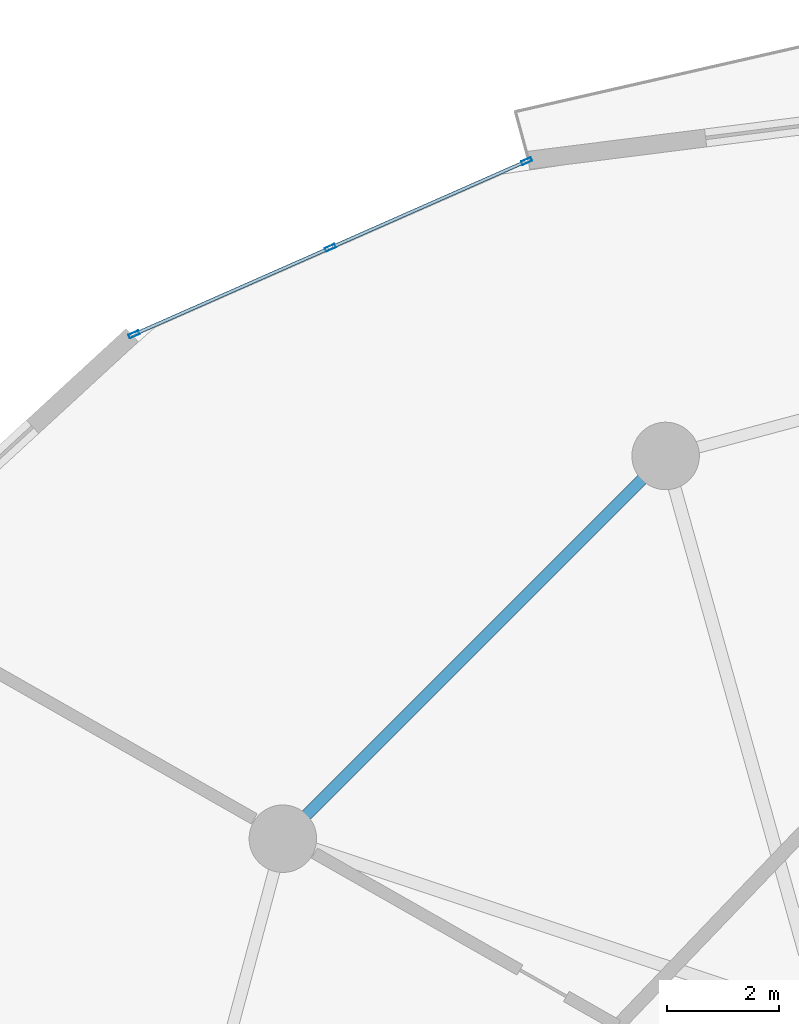
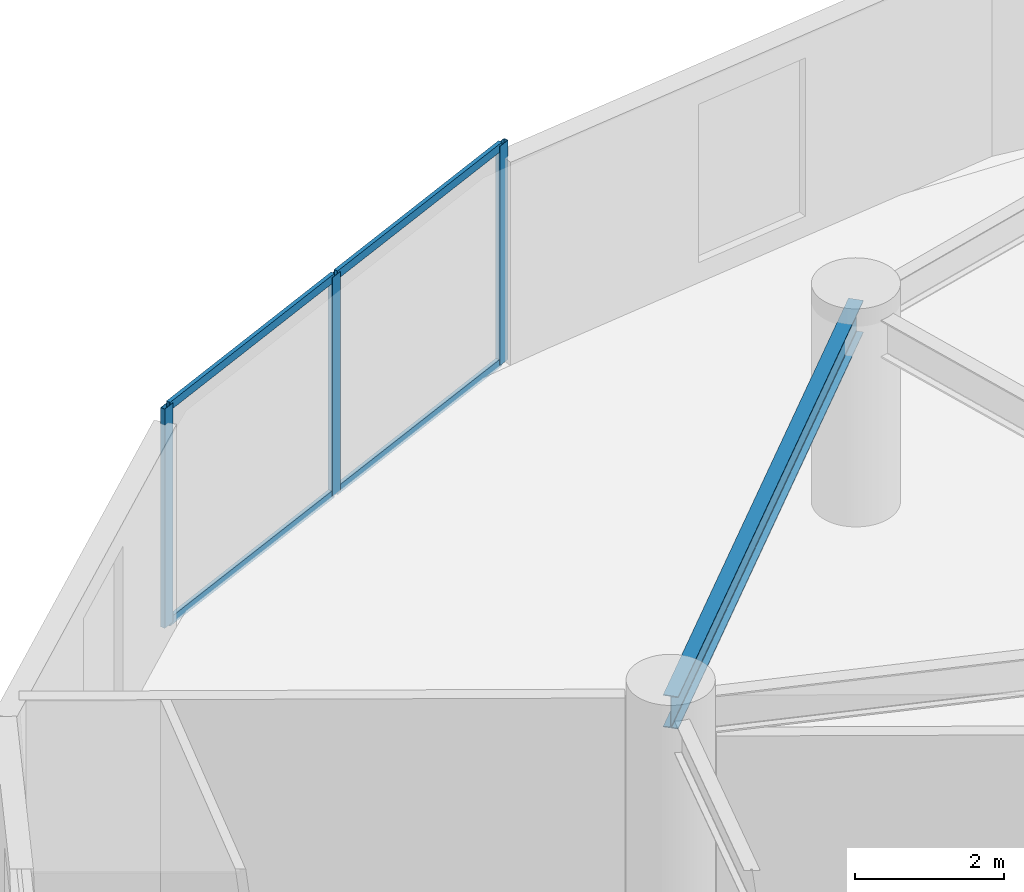
# One storey, part 15 of 25: 7 members, 1 beam, 1 element without a shape of its own.
"""IFC4 building model written with IfcOpenShell, lengths in metres."""

from ifc_helpers import new_model, si_unit, direction, frame, origin, origin_2d, place, context, subcontext, project, spatial, hollow_rectangle, i_section, extrude, source, transform, mapped, material, layer, layer_set, material_profile, profile_set, type_object, element, aggregate, save


model = new_model("IFC4")

# Units and contexts
model_context = context("Model", 3, precision=1e-05, world=origin(), true_north=direction((0.0, 1.0)))
body_context = subcontext(model_context, "Body", "Model", "MODEL_VIEW")
ifc_project = project(units=[si_unit("LENGTHUNIT", "METRE"), si_unit("AREAUNIT", "SQUARE_METRE"), si_unit("VOLUMEUNIT", "CUBIC_METRE"), si_unit("PLANEANGLEUNIT", "RADIAN"), si_unit("MASSUNIT", "GRAM", prefix="KILO")], contexts=[model_context])

# Site, building, storey
site_placement = place(None, origin())
site = spatial("IfcSite", under=ifc_project, at=site_placement, CompositionType="ELEMENT")
building_placement = place(site_placement, origin())
building = spatial("IfcBuilding", under=site, at=building_placement, Name="Solvirekh Grand Hotel", CompositionType="ELEMENT")
storey_placement = place(building_placement, frame((0.0, 0.0, 60.800048828125)))
storey = spatial("IfcBuildingStorey", under=building, at=storey_placement, Name="L14", CompositionType="ELEMENT", Elevation=60.800048828125)

# Beam
ifc_material_1 = material(Name="Steel S355", Category="steel")
ifc_material_profile_1 = material_profile(ifc_material_1, i_section(OverallWidth=0.208984375, OverallDepth=0.532958984375, WebThickness=0.010009765625, FlangeThickness=0.014892578125, FilletRadius=0.013916015625, at=origin_2d()), Name="W530X92")
ifc_profile_set_1 = profile_set([ifc_material_profile_1], Name="Steel S355")
beam_type = type_object("IfcBeamType", Name="Spandrel_Ring_W530", PredefinedType="SPANDREL", material=ifc_profile_set_1)
beam_placement = place(storey_placement, frame((-9.300048828125, 16.10791015625, 3.072998046875), z_axis=(-0.707106781187, -0.707106781187, 0.0), x_axis=(0.707106781187, -0.707106781187, 0.0)))
element("IfcBeam", 1, at=beam_placement, inside=storey, type_object=beam_type, Name="L14 perimeter spandrel beam 5", PredefinedType="SPANDREL", context=body_context, shape_type="SweptSolid", body=[
    extrude(i_section(OverallWidth=0.208984375, OverallDepth=0.532958984375, WebThickness=0.010009765625, FlangeThickness=0.014892578125, FilletRadius=0.013916015625, at=origin_2d()), origin(), (0.0, 0.0, 1.0), 9.627685546875),
])

# Curtain wall, members
ifc_material_2 = material(Name="Anodized Bronze Aluminium 6063-T6", Category="aluminium")
ifc_layer = layer(ifc_material_2, 0.18994140625)
ifc_layer_set = layer_set([ifc_layer], Name="Anodized Bronze Aluminium 6063-T6")
curtain_wall_type = type_object("IfcCurtainWallType", Name="CW_Sys2_LowZoneFlushBronzeCW", PredefinedType="NOTDEFINED", material=ifc_layer_set)
curtain_wall_placement = place(storey_placement, origin())
curtain_wall = element("IfcCurtainWall", 2, at=curtain_wall_placement, inside=storey, type_object=curtain_wall_type, Name="L14 unitised bronze-glass curtain wall CW-L14-C08", PredefinedType="NOTDEFINED")
ifc_material_profile_2 = material_profile(ifc_material_2, hollow_rectangle(XDim=0.06005859375, YDim=0.135009765625, WallThickness=0.00390625, at=origin_2d()), Name="ALU RHS 135X60X4")
ifc_profile_set_2 = profile_set([ifc_material_profile_2], Name="Anodized Bronze Aluminium 6063-T6")
member_type_1 = type_object("IfcMemberType", Name="CWTransom_Sys2", PredefinedType="USERDEFINED", material=ifc_profile_set_2)
shared_shape_1 = source(origin(), body_context, "Body", "SweptSolid", [
    extrude(hollow_rectangle(XDim=0.06005859375, YDim=0.135009765625, WallThickness=0.00390625, at=origin_2d()), origin(), (0.0, 0.0, 1.0), 3.74755859375),
])
member_1_placement = place(storey_placement, frame((-11.802978515625, 21.337646484375, 0.030029296875), z_axis=(-0.914880293603, -0.403725213947, 0.0), x_axis=(0.403725213947, -0.914880293603, 0.0)))
member_1 = element("IfcMember", 3, at=member_1_placement, type_object=member_type_1, Name="U02 transom 1.1", ObjectType="TRANSOM", PredefinedType="USERDEFINED", context=body_context, shape_type="MappedRepresentation", body=[
    mapped(shared_shape_1, transform((0.0, 0.0, 0.0), x_axis=(1.0, 0.0, 0.0), y_axis=(0.0, 1.0, 0.0), z_axis=(0.0, 0.0, 1.0), scale=1.0)),
])
member_2_placement = place(storey_placement, frame((-11.802978515625, 21.337646484375, 3.570068359375), z_axis=(-0.914880293603, -0.403725213947, 0.0), x_axis=(0.403725213947, -0.914880293603, 0.0)))
member_2 = element("IfcMember", 4, at=member_2_placement, type_object=member_type_1, Name="U02 transom 1.2", ObjectType="TRANSOM", PredefinedType="USERDEFINED", context=body_context, shape_type="MappedRepresentation", body=[
    mapped(shared_shape_1, transform((0.0, 0.0, 0.0), x_axis=(1.0, 0.0, 0.0), y_axis=(0.0, 1.0, 0.0), z_axis=(0.0, 0.0, 1.0), scale=1.0)),
])
member_3_placement = place(storey_placement, frame((-15.29541015625, 19.79638671875, 0.030029296875), z_axis=(-0.914856229348, -0.403779741472, 0.0), x_axis=(0.403779741472, -0.914856229348, 0.0)))
member_3 = element("IfcMember", 5, at=member_3_placement, type_object=member_type_1, Name="U02 transom 2.1", ObjectType="TRANSOM", PredefinedType="USERDEFINED", context=body_context, shape_type="MappedRepresentation", body=[
    mapped(shared_shape_1, transform((0.0, 0.0, 0.0), x_axis=(1.0, 0.0, 0.0), y_axis=(0.0, 1.0, 0.0), z_axis=(0.0, 0.0, 1.0), scale=1.0)),
])
member_4_placement = place(storey_placement, frame((-15.29541015625, 19.79638671875, 3.570068359375), z_axis=(-0.914856229348, -0.403779741472, 0.0), x_axis=(0.403779741472, -0.914856229348, 0.0)))
member_4 = element("IfcMember", 6, at=member_4_placement, type_object=member_type_1, Name="U02 transom 2.2", ObjectType="TRANSOM", PredefinedType="USERDEFINED", context=body_context, shape_type="MappedRepresentation", body=[
    mapped(shared_shape_1, transform((0.0, 0.0, 0.0), x_axis=(1.0, 0.0, 0.0), y_axis=(0.0, 1.0, 0.0), z_axis=(0.0, 0.0, 1.0), scale=1.0)),
])
ifc_material_profile_3 = material_profile(ifc_material_2, hollow_rectangle(XDim=0.070068359375, YDim=0.18994140625, WallThickness=0.0048828125, at=origin_2d()), Name="ALU RHS 190X70X5")
ifc_profile_set_3 = profile_set([ifc_material_profile_3], Name="Anodized Bronze Aluminium 6063-T6")
member_type_2 = type_object("IfcMemberType", Name="CWMullion_Sys2", PredefinedType="MULLION", material=ifc_profile_set_3)
shared_shape_2 = source(origin(), body_context, "Body", "SweptSolid", [
    extrude(hollow_rectangle(XDim=0.070068359375, YDim=0.18994140625, WallThickness=0.0048828125, at=origin_2d()), origin(), (0.0, 0.0, 1.0), 3.599853515625),
])
member_5_placement = place(storey_placement, frame((-11.77099609375, 21.351806640625, 0.0), z_axis=(0.0, 0.0, 1.0), x_axis=(0.403764820119, -0.914862814871, 0.0)))
member_5 = element("IfcMember", 7, at=member_5_placement, type_object=member_type_2, Name="U02 mullion 1", PredefinedType="MULLION", context=body_context, shape_type="MappedRepresentation", body=[
    mapped(shared_shape_2, transform((0.0, 0.0, 0.0), x_axis=(1.0, 0.0, 0.0), y_axis=(0.0, 1.0, 0.0), z_axis=(0.0, 0.0, 1.0), scale=1.0)),
])
member_6_placement = place(storey_placement, frame((-15.263427734375, 19.810546875, 0.0), z_axis=(0.0, 0.0, 1.0), x_axis=(0.403764820119, -0.914862814871, 0.0)))
member_6 = element("IfcMember", 8, at=member_6_placement, type_object=member_type_2, Name="U02 mullion 2", PredefinedType="MULLION", context=body_context, shape_type="MappedRepresentation", body=[
    mapped(shared_shape_2, transform((0.0, 0.0, 0.0), x_axis=(1.0, 0.0, 0.0), y_axis=(0.0, 1.0, 0.0), z_axis=(0.0, 0.0, 1.0), scale=1.0)),
])
member_7_placement = place(storey_placement, frame((-18.755859375, 18.26904296875, 0.0), z_axis=(0.0, 0.0, 1.0), x_axis=(0.403764820119, -0.914862814871, 0.0)))
member_7 = element("IfcMember", 9, at=member_7_placement, type_object=member_type_2, Name="U02 mullion 3", PredefinedType="MULLION", context=body_context, shape_type="MappedRepresentation", body=[
    mapped(shared_shape_2, transform((0.0, 0.0, 0.0), x_axis=(1.0, 0.0, 0.0), y_axis=(0.0, 1.0, 0.0), z_axis=(0.0, 0.0, 1.0), scale=1.0)),
])
aggregate(curtain_wall, [member_5, member_6, member_7, member_1, member_2, member_3, member_4])

save(model, "model.ifc")
